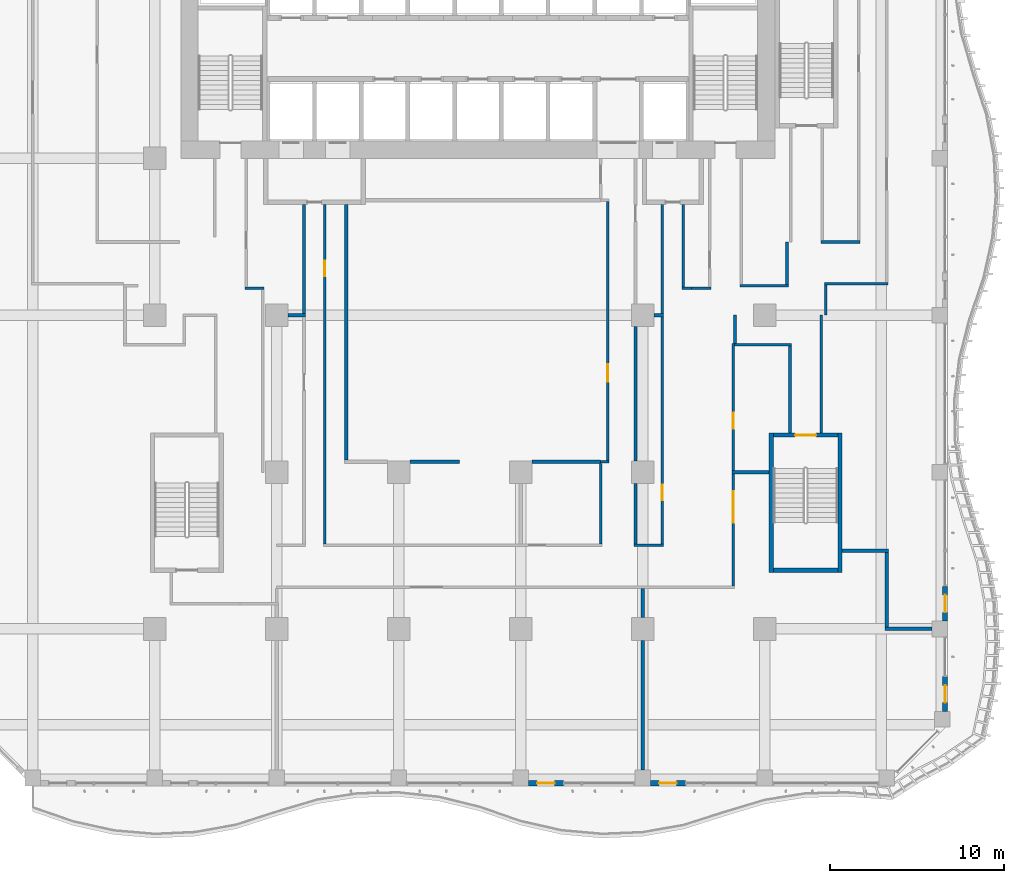
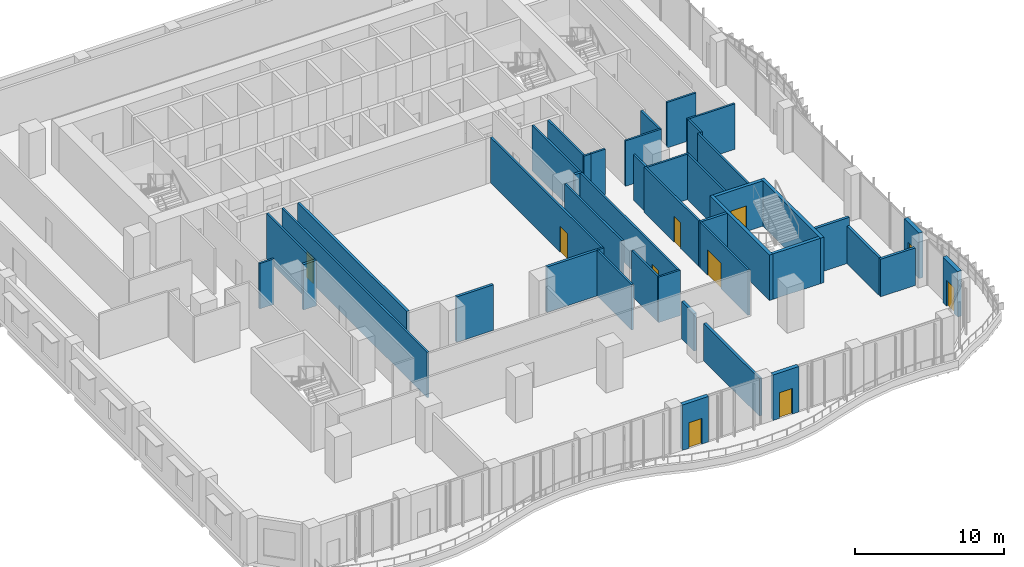
# One storey, part 11 of 27: 44 walls, 10 doors, 10 openings.
"""IFC4 building model written with IfcOpenShell, lengths in metres."""

from ifc_helpers import new_model, si_unit, direction, frame, frame_2d, origin, place, context, subcontext, project, spatial, rectangle, extrude, source, transform, mapped, material, layer, layer_set, type_object, element, fill, save


model = new_model("IFC4")

# Units and contexts
model_context = context("Model", 3, precision=1e-05, world=origin(), true_north=direction((0.0, 1.0)))
body_context = subcontext(model_context, "Body", "Model", "MODEL_VIEW")
ifc_project = project(units=[si_unit("LENGTHUNIT", "METRE"), si_unit("AREAUNIT", "SQUARE_METRE"), si_unit("VOLUMEUNIT", "CUBIC_METRE"), si_unit("PLANEANGLEUNIT", "RADIAN"), si_unit("MASSUNIT", "GRAM", prefix="KILO")], contexts=[model_context])

# Site, building, storey
site_placement = place(None, origin())
site = spatial("IfcSite", under=ifc_project, at=site_placement, CompositionType="ELEMENT")
building_placement = place(site_placement, origin())
building = spatial("IfcBuilding", under=site, at=building_placement, Name="Kilnfold Tower and Market Hall", CompositionType="ELEMENT")
storey_placement = place(building_placement, frame((0.0, 0.0, 47.0)))
storey = spatial("IfcBuildingStorey", under=building, at=storey_placement, Name="L10", CompositionType="ELEMENT", Elevation=47.0)

# Walls
ifc_material_1 = material(Name="Gypsum board on steel studs", Category="steel")
ifc_layer_1 = layer(ifc_material_1, 0.14990234375)
ifc_layer_set_1 = layer_set([ifc_layer_1], Name="Gypsum board on steel studs")
wall_type_1 = type_object("IfcWallType", Name="WALL CORRIDOR 150", PredefinedType="PARTITIONING", material=ifc_layer_set_1)
wall_1_placement = place(storey_placement, frame((-12.324951171875, 0.550048828125, 0.0), z_axis=(0.0, 0.0, 1.0), x_axis=(1.0, 0.0, 0.0)))
element("IfcWall", 1, at=wall_1_placement, inside=storey, type_object=wall_type_1, Name="Partition LY09.5", PredefinedType="PARTITIONING", context=body_context, shape_type="SweptSolid", body=[
    extrude(rectangle(XDim=1.099853515625, YDim=0.14990234375, at=frame_2d((0.5498046875, 0.0))), origin(), (0.0, 0.0, 1.0), 3.719970703125),
])
wall_2_placement = place(storey_placement, frame((-8.929931640625, -0.909912109375, 0.0), z_axis=(0.0, 0.0, 1.0), x_axis=(0.0, 1.0, 0.0)))
element("IfcWall", 2, at=wall_2_placement, inside=storey, type_object=wall_type_1, Name="Partition LY09.6", PredefinedType="PARTITIONING", context=body_context, shape_type="SweptSolid", body=[
    extrude(rectangle(XDim=6.260009765625, YDim=0.14990234375, at=frame_2d((3.1298828125, 0.0))), origin(), (0.0, 0.0, 1.0), 3.719970703125),
])

# Wall, opening, door
wall_3_placement = place(storey_placement, frame((-7.72998046875, -14.125, 0.0), z_axis=(0.0, 0.0, 1.0), x_axis=(0.0, 1.0, 0.0)))
wall_3 = element("IfcWall", 3, at=wall_3_placement, inside=storey, type_object=wall_type_1, Name="Partition LY09.7", PredefinedType="PARTITIONING", context=body_context, shape_type="SweptSolid", body=[
    extrude(rectangle(XDim=19.47509765625, YDim=0.14990234375, at=frame_2d((9.737548828125, 0.0))), origin(), (0.0, 0.0, 1.0), 3.719970703125),
])
opening_1_placement = place(wall_3_placement, frame((15.363037109375, 0.0, 0.0)))
opening_1 = element("IfcOpeningElement", 4, at=opening_1_placement, cuts=wall_3, Name="Opening D2", PredefinedType="OPENING", context=body_context, shape_type="SweptSolid", body=[
    extrude(rectangle(XDim=0.89990234375, YDim=2.10009765625, at=frame_2d((0.449951171875, 1.050048828125))), frame((0.0, 0.0849609375, 0.0), z_axis=(0.0, -1.0, 0.0), x_axis=(1.0, 0.0, 0.0)), (0.0, 0.0, 1.0), 0.169921875),
])
ifc_material_2 = material(Name="Timber veneer door leaf in steel frame", Category="steel")
door_type_1 = type_object("IfcDoorType", Name="DOOR ROOM 900 X2100", OperationType="NOTDEFINED", PredefinedType="DOOR", material=ifc_material_2)
door_1_placement = place(opening_1_placement, origin())
door_1 = element("IfcDoor", 5, at=door_1_placement, inside=storey, type_object=door_type_1, Name="Door D2", OperationType="SINGLE_SWING_RIGHT", OverallHeight=2.10009765625, OverallWidth=0.89990234375, PredefinedType="DOOR", context=body_context, shape_type="SweptSolid", body=[
    extrude(rectangle(XDim=0.89990234375, YDim=2.10009765625, at=frame_2d((0.449951171875, 1.050048828125))), frame((0.0, 0.02490234375, 0.0), z_axis=(0.0, -1.0, 0.0), x_axis=(1.0, 0.0, 0.0)), (0.0, 0.0, 1.0), 0.050048828125),
])
fill(opening_1, door_1)

# Walls
wall_4_placement = place(storey_placement, frame((8.090087890625, -14.125, 0.0), z_axis=(0.0, 0.0, 1.0), x_axis=(0.0, 1.0, 0.0)))
element("IfcWall", 6, at=wall_4_placement, inside=storey, type_object=wall_type_1, Name="Partition LY09.12", PredefinedType="PARTITIONING", context=body_context, shape_type="SweptSolid", body=[
    extrude(rectangle(XDim=4.625, YDim=0.14990234375, at=frame_2d((2.3125, 0.0))), origin(), (0.0, 0.0, 1.0), 3.719970703125),
])
wall_5_placement = place(storey_placement, frame((10.090087890625, -9.35009765625, 0.0), z_axis=(0.0, 0.0, 1.0), x_axis=(0.0, 1.0, 0.0)))
element("IfcWall", 7, at=wall_5_placement, inside=storey, type_object=wall_type_1, Name="Partition LY09.13", PredefinedType="PARTITIONING", context=body_context, shape_type="SweptSolid", body=[
    extrude(rectangle(XDim=7.7001953125, YDim=0.14990234375, at=frame_2d((3.85009765625, 0.0))), origin(), (0.0, 0.0, 1.0), 3.719970703125),
])
wall_6_placement = place(storey_placement, frame((10.090087890625, -14.125, 0.0), z_axis=(0.0, 0.0, 1.0), x_axis=(0.0, 1.0, 0.0)))
element("IfcWall", 8, at=wall_6_placement, inside=storey, type_object=wall_type_1, Name="Partition LY09.14", PredefinedType="PARTITIONING", context=body_context, shape_type="SweptSolid", body=[
    extrude(rectangle(XDim=3.47509765625, YDim=0.14990234375, at=frame_2d((1.737548828125, 0.0))), origin(), (0.0, 0.0, 1.0), 3.719970703125),
])
wall_7_placement = place(storey_placement, frame((10.014892578125, -14.199951171875, 0.0), z_axis=(0.0, 0.0, 1.0), x_axis=(1.0, 0.0, 0.0)))
element("IfcWall", 9, at=wall_7_placement, inside=storey, type_object=wall_type_1, Name="Partition LY09.15", PredefinedType="PARTITIONING", context=body_context, shape_type="SweptSolid", body=[
    extrude(rectangle(XDim=1.690185546875, YDim=0.14990234375, at=frame_2d((0.84521484375, 0.0))), origin(), (0.0, 0.0, 1.0), 3.719970703125),
])

# Wall, opening, door
wall_8_placement = place(storey_placement, frame((11.6298828125, -14.125, 0.0), z_axis=(0.0, 0.0, 1.0), x_axis=(0.0, 1.0, 0.0)))
wall_8 = element("IfcWall", 10, at=wall_8_placement, inside=storey, type_object=wall_type_1, Name="Partition LY09.16", PredefinedType="PARTITIONING", context=body_context, shape_type="SweptSolid", body=[
    extrude(rectangle(XDim=13.034912109375, YDim=0.14990234375, at=frame_2d((6.517578125, 0.0))), origin(), (0.0, 0.0, 1.0), 3.719970703125),
])
opening_2_placement = place(wall_8_placement, frame((2.507080078125, 0.0, 0.0)))
opening_2 = element("IfcOpeningElement", 11, at=opening_2_placement, cuts=wall_8, Name="Opening D2", PredefinedType="OPENING", context=body_context, shape_type="SweptSolid", body=[
    extrude(rectangle(XDim=0.89990234375, YDim=2.10009765625, at=frame_2d((0.449951171875, 1.050048828125))), frame((0.0, 0.0849609375, 0.0), z_axis=(0.0, -1.0, 0.0), x_axis=(1.0, 0.0, 0.0)), (0.0, 0.0, 1.0), 0.169921875),
])
door_2_placement = place(opening_2_placement, origin())
door_2 = element("IfcDoor", 12, at=door_2_placement, inside=storey, type_object=door_type_1, Name="Door D2", OperationType="SINGLE_SWING_LEFT", OverallHeight=2.10009765625, OverallWidth=0.89990234375, PredefinedType="DOOR", context=body_context, shape_type="SweptSolid", body=[
    extrude(rectangle(XDim=0.89990234375, YDim=2.10009765625, at=frame_2d((0.449951171875, 1.050048828125))), frame((0.0, 0.02490234375, 0.0), z_axis=(0.0, -1.0, 0.0), x_axis=(1.0, 0.0, 0.0)), (0.0, 0.0, 1.0), 0.050048828125),
])
fill(opening_2, door_2)

# Walls
wall_9_placement = place(storey_placement, frame((11.6298828125, -0.909912109375, 0.0), z_axis=(0.0, 0.0, 1.0), x_axis=(0.0, 1.0, 0.0)))
element("IfcWall", 13, at=wall_9_placement, inside=storey, type_object=wall_type_1, Name="Partition LY09.18", PredefinedType="PARTITIONING", context=body_context, shape_type="SweptSolid", body=[
    extrude(rectangle(XDim=6.260009765625, YDim=0.14990234375, at=frame_2d((3.1298828125, 0.0))), origin(), (0.0, 0.0, 1.0), 3.719970703125),
])
wall_10_placement = place(storey_placement, frame((12.830078125, 0.616943359375, 0.0), z_axis=(0.0, 0.0, 1.0), x_axis=(0.0, 1.0, 0.0)))
element("IfcWall", 14, at=wall_10_placement, inside=storey, type_object=wall_type_1, Name="Partition LY09.19", PredefinedType="PARTITIONING", context=body_context, shape_type="SweptSolid", body=[
    extrude(rectangle(XDim=4.733154296875, YDim=0.14990234375, at=frame_2d((2.36669921875, 0.0))), origin(), (0.0, 0.0, 1.0), 3.719970703125),
])
wall_11_placement = place(storey_placement, frame((13.300048828125, 0.5419921875, 0.0), z_axis=(0.0, 0.0, 1.0), x_axis=(-1.0, 0.0, 0.0)))
element("IfcWall", 15, at=wall_11_placement, inside=storey, type_object=wall_type_1, Name="Partition LY09.20", PredefinedType="PARTITIONING", context=body_context, shape_type="SweptSolid", body=[
    extrude(rectangle(XDim=0.545166015625, YDim=0.14990234375, at=frame_2d((0.2724609375, 0.0))), origin(), (0.0, 0.0, 1.0), 3.719970703125),
])
wall_12_placement = place(storey_placement, frame((13.300048828125, 0.550048828125, 0.0), z_axis=(0.0, 0.0, 1.0), x_axis=(1.0, 0.0, 0.0)))
element("IfcWall", 16, at=wall_12_placement, inside=storey, type_object=wall_type_1, Name="Partition LY09.21", PredefinedType="PARTITIONING", context=body_context, shape_type="SweptSolid", body=[
    extrude(rectangle(XDim=1.125, YDim=0.14990234375, at=frame_2d((0.5625, 0.0))), origin(), (0.0, 0.0, 1.0), 3.719970703125),
])
wall_13_placement = place(storey_placement, frame((16.074951171875, 0.699951171875, 0.0), z_axis=(0.0, 0.0, 1.0), x_axis=(1.0, 0.0, 0.0)))
element("IfcWall", 17, at=wall_13_placement, inside=storey, type_object=wall_type_1, Name="Partition LY09.24", PredefinedType="PARTITIONING", context=body_context, shape_type="SweptSolid", body=[
    extrude(rectangle(XDim=2.780029296875, YDim=0.14990234375, at=frame_2d((1.39013671875, 0.0))), origin(), (0.0, 0.0, 1.0), 3.719970703125),
])
wall_14_placement = place(storey_placement, frame((18.780029296875, 3.199951171875, 0.0), z_axis=(0.0, 0.0, 1.0), x_axis=(0.0, -1.0, 0.0)))
element("IfcWall", 18, at=wall_14_placement, inside=storey, type_object=wall_type_1, Name="Partition LY09.25", PredefinedType="PARTITIONING", context=body_context, shape_type="SweptSolid", body=[
    extrude(rectangle(XDim=2.425048828125, YDim=0.14990234375, at=frame_2d((1.21240234375, 0.0))), origin(), (0.0, 0.0, 1.0), 3.719970703125),
])
wall_15_placement = place(storey_placement, frame((20.72509765625, 3.199951171875, 0.0), z_axis=(0.0, 0.0, 1.0), x_axis=(1.0, 0.0, 0.0)))
element("IfcWall", 19, at=wall_15_placement, inside=storey, type_object=wall_type_1, Name="Partition LY09.28", PredefinedType="PARTITIONING", context=body_context, shape_type="SweptSolid", body=[
    extrude(rectangle(XDim=2.25, YDim=0.14990234375, at=frame_2d((1.125, 0.0))), origin(), (0.0, 0.0, 1.0), 3.719970703125),
])

# Wall, opening, door
wall_16_placement = place(storey_placement, frame((15.699951171875, -16.52490234375, 0.0), z_axis=(0.0, 0.0, 1.0), x_axis=(0.0, 1.0, 0.0)))
wall_16 = element("IfcWall", 20, at=wall_16_placement, inside=storey, type_object=wall_type_1, Name="Partition LY09.43", PredefinedType="PARTITIONING", context=body_context, shape_type="SweptSolid", body=[
    extrude(rectangle(XDim=6.434814453125, YDim=0.14990234375, at=frame_2d((3.21728515625, 0.0))), origin(), (0.0, 0.0, 1.0), 3.719970703125),
])
opening_3_placement = place(wall_16_placement, frame((3.6279296875, 0.0, 0.0)))
opening_3 = element("IfcOpeningElement", 21, at=opening_3_placement, cuts=wall_16, Name="Opening D5", PredefinedType="OPENING", context=body_context, shape_type="SweptSolid", body=[
    extrude(rectangle(XDim=1.800048828125, YDim=2.10009765625, at=frame_2d((0.89990234375, 1.050048828125))), frame((0.0, 0.0849609375, 0.0), z_axis=(0.0, -1.0, 0.0), x_axis=(1.0, 0.0, 0.0)), (0.0, 0.0, 1.0), 0.169921875),
])
ifc_material_3 = material(Name="Timber veneer door leaf in steel frame", Category="steel")
door_type_2 = type_object("IfcDoorType", Name="DOOR DOUBLE 1800 X2100", OperationType="NOTDEFINED", PredefinedType="DOOR", material=ifc_material_3)
door_3_placement = place(opening_3_placement, origin())
door_3 = element("IfcDoor", 22, at=door_3_placement, inside=storey, type_object=door_type_2, Name="Door D5", OperationType="DOUBLE_DOOR_SINGLE_SWING", OverallHeight=2.10009765625, OverallWidth=1.800048828125, PredefinedType="DOOR", context=body_context, shape_type="SweptSolid", body=[
    extrude(rectangle(XDim=1.800048828125, YDim=2.10009765625, at=frame_2d((0.89990234375, 1.050048828125))), frame((0.0, 0.02490234375, 0.0), z_axis=(0.0, -1.0, 0.0), x_axis=(1.0, 0.0, 0.0)), (0.0, 0.0, 1.0), 0.050048828125),
])
fill(opening_3, door_3)

# Walls
wall_17_placement = place(storey_placement, frame((18.949951171875, -2.77490234375, 0.0), z_axis=(0.0, 0.0, 1.0), x_axis=(0.0, -1.0, 0.0)))
element("IfcWall", 23, at=wall_17_placement, inside=storey, type_object=wall_type_1, Name="Partition LY09.44", PredefinedType="PARTITIONING", context=body_context, shape_type="SweptSolid", body=[
    extrude(rectangle(XDim=4.97509765625, YDim=0.14990234375, at=frame_2d((2.487548828125, 0.0))), origin(), (0.0, 0.0, 1.0), 3.719970703125),
])
wall_18_placement = place(storey_placement, frame((15.77490234375, -2.699951171875, 0.0), z_axis=(0.0, 0.0, 1.0), x_axis=(1.0, 0.0, 0.0)))
element("IfcWall", 24, at=wall_18_placement, inside=storey, type_object=wall_type_1, Name="Partition LY09.45", PredefinedType="PARTITIONING", context=body_context, shape_type="SweptSolid", body=[
    extrude(rectangle(XDim=3.25, YDim=0.14990234375, at=frame_2d((1.625, 0.0))), origin(), (0.0, 0.0, 1.0), 3.719970703125),
])
wall_19_placement = place(storey_placement, frame((15.800048828125, -2.625, 0.0), z_axis=(0.0, 0.0, 1.0), x_axis=(0.0, 1.0, 0.0)))
element("IfcWall", 25, at=wall_19_placement, inside=storey, type_object=wall_type_1, Name="Partition LY09.46", PredefinedType="PARTITIONING", context=body_context, shape_type="SweptSolid", body=[
    extrude(rectangle(XDim=1.625, YDim=0.14990234375, at=frame_2d((0.8125, 0.0))), origin(), (0.0, 0.0, 1.0), 3.719970703125),
])

# Wall, opening, door
wall_20_placement = place(storey_placement, frame((15.699951171875, -9.909912109375, 0.0), z_axis=(0.0, 0.0, 1.0), x_axis=(0.0, 1.0, 0.0)))
wall_20 = element("IfcWall", 26, at=wall_20_placement, inside=storey, type_object=wall_type_1, Name="Partition LY09.47", PredefinedType="PARTITIONING", context=body_context, shape_type="SweptSolid", body=[
    extrude(rectangle(XDim=7.284912109375, YDim=0.14990234375, at=frame_2d((3.642578125, 0.0))), origin(), (0.0, 0.0, 1.0), 3.719970703125),
])
opening_4_placement = place(wall_20_placement, frame((2.403076171875, 0.0, 0.0)))
opening_4 = element("IfcOpeningElement", 27, at=opening_4_placement, cuts=wall_20, Name="Opening D2", PredefinedType="OPENING", context=body_context, shape_type="SweptSolid", body=[
    extrude(rectangle(XDim=0.89990234375, YDim=2.10009765625, at=frame_2d((0.449951171875, 1.050048828125))), frame((0.0, 0.0849609375, 0.0), z_axis=(0.0, -1.0, 0.0), x_axis=(1.0, 0.0, 0.0)), (0.0, 0.0, 1.0), 0.169921875),
])
door_4_placement = place(opening_4_placement, origin())
door_4 = element("IfcDoor", 28, at=door_4_placement, inside=storey, type_object=door_type_1, Name="Door D2", OperationType="SINGLE_SWING_LEFT", OverallHeight=2.10009765625, OverallWidth=0.89990234375, PredefinedType="DOOR", context=body_context, shape_type="SweptSolid", body=[
    extrude(rectangle(XDim=0.89990234375, YDim=2.10009765625, at=frame_2d((0.449951171875, 1.050048828125))), frame((0.0, 0.02490234375, 0.0), z_axis=(0.0, -1.0, 0.0), x_axis=(1.0, 0.0, 0.0)), (0.0, 0.0, 1.0), 0.050048828125),
])
fill(opening_4, door_4)

# Walls
wall_21_placement = place(storey_placement, frame((20.925048828125, 0.800048828125, 0.0), z_axis=(0.0, 0.0, 1.0), x_axis=(1.0, 0.0, 0.0)))
element("IfcWall", 29, at=wall_21_placement, inside=storey, type_object=wall_type_1, Name="Partition LY09.49", PredefinedType="PARTITIONING", context=body_context, shape_type="SweptSolid", body=[
    extrude(rectangle(XDim=3.64990234375, YDim=0.14990234375, at=frame_2d((1.824951171875, 0.0))), origin(), (0.0, 0.0, 1.0), 3.719970703125),
])
wall_22_placement = place(storey_placement, frame((21.0, -1.0, 0.0), z_axis=(0.0, 0.0, 1.0), x_axis=(0.0, 1.0, 0.0)))
element("IfcWall", 30, at=wall_22_placement, inside=storey, type_object=wall_type_1, Name="Partition LY09.50", PredefinedType="PARTITIONING", context=body_context, shape_type="SweptSolid", body=[
    extrude(rectangle(XDim=1.72509765625, YDim=0.14990234375, at=frame_2d((0.862548828125, 0.0))), origin(), (0.0, 0.0, 1.0), 3.719970703125),
])
wall_23_placement = place(storey_placement, frame((20.75, -7.75, 0.0), z_axis=(0.0, 0.0, 1.0), x_axis=(0.0, 1.0, 0.0)))
element("IfcWall", 31, at=wall_23_placement, inside=storey, type_object=wall_type_1, Name="Partition LY09.51", PredefinedType="PARTITIONING", context=body_context, shape_type="SweptSolid", body=[
    extrude(rectangle(XDim=6.75, YDim=0.14990234375, at=frame_2d((3.375, 0.0))), origin(), (0.0, 0.0, 1.0), 3.719970703125),
])
wall_24_placement = place(storey_placement, frame((8.574951171875, -9.39990234375, 0.0), z_axis=(0.0, 0.0, 1.0), x_axis=(-1.0, 0.0, 0.0)))
element("IfcWall", 32, at=wall_24_placement, inside=storey, type_object=wall_type_1, Name="Partition LY09.55", PredefinedType="PARTITIONING", context=body_context, shape_type="SweptSolid", body=[
    extrude(rectangle(XDim=0.48486328125, YDim=0.14990234375, at=frame_2d((0.242431640625, 0.0))), origin(), (0.0, 0.0, 1.0), 3.719970703125),
])

# Wall, opening, door
wall_25_placement = place(storey_placement, frame((8.5, 5.52490234375, 0.0), z_axis=(0.0, 0.0, 1.0), x_axis=(0.0, -1.0, 0.0)))
wall_25 = element("IfcWall", 33, at=wall_25_placement, inside=storey, type_object=wall_type_1, Name="Partition LY09.56", PredefinedType="PARTITIONING", context=body_context, shape_type="SweptSolid", body=[
    extrude(rectangle(XDim=14.849853515625, YDim=0.14990234375, at=frame_2d((7.4248046875, 0.0))), origin(), (0.0, 0.0, 1.0), 3.719970703125),
])
opening_5_placement = place(wall_25_placement, frame((9.333984375, 0.0, 0.0)))
opening_5 = element("IfcOpeningElement", 34, at=opening_5_placement, cuts=wall_25, Name="Opening D1", PredefinedType="OPENING", context=body_context, shape_type="SweptSolid", body=[
    extrude(rectangle(XDim=1.0, YDim=2.10009765625, at=frame_2d((0.5, 1.050048828125))), frame((0.0, 0.0849609375, 0.0), z_axis=(0.0, -1.0, 0.0), x_axis=(1.0, 0.0, 0.0)), (0.0, 0.0, 1.0), 0.169921875),
])
ifc_material_4 = material(Name="Timber veneer door leaf in steel frame", Category="steel")
door_type_3 = type_object("IfcDoorType", Name="DOOR ENTRY 1000 X2100", OperationType="NOTDEFINED", PredefinedType="DOOR", material=ifc_material_4)
door_5_placement = place(opening_5_placement, origin())
door_5 = element("IfcDoor", 35, at=door_5_placement, inside=storey, type_object=door_type_3, Name="Door D1", OperationType="SINGLE_SWING_LEFT", OverallHeight=2.10009765625, OverallWidth=1.0, PredefinedType="DOOR", context=body_context, shape_type="SweptSolid", body=[
    extrude(rectangle(XDim=1.0, YDim=2.10009765625, at=frame_2d((0.5, 1.050048828125))), frame((0.0, 0.02490234375, 0.0), z_axis=(0.0, -1.0, 0.0), x_axis=(1.0, 0.0, 0.0)), (0.0, 0.0, 1.0), 0.050048828125),
])
fill(opening_5, door_5)

# Walls
ifc_material_5 = material(Name="Gypsum board on steel studs", Category="steel")
ifc_layer_2 = layer(ifc_material_5, 0.199951171875)
ifc_layer_set_2 = layer_set([ifc_layer_2], Name="Gypsum board on steel studs")
wall_type_2 = type_object("IfcWallType", Name="WALL PARTY 200", PredefinedType="PARTITIONING", material=ifc_layer_set_2)
wall_26_placement = place(storey_placement, frame((-9.85009765625, -1.0, 0.0), z_axis=(0.0, 0.0, 1.0), x_axis=(1.0, 0.0, 0.0)))
element("IfcWall", 36, at=wall_26_placement, inside=storey, type_object=wall_type_2, Name="Partition LY09.60", PredefinedType="PARTITIONING", context=body_context, shape_type="SweptSolid", body=[
    extrude(rectangle(XDim=0.994140625, YDim=0.199951171875, at=frame_2d((0.4970703125, 0.0))), origin(), (0.0, 0.0, 1.0), 3.719970703125),
])
wall_27_placement = place(storey_placement, frame((-6.5, -9.300048828125, 0.0), z_axis=(0.0, 0.0, 1.0), x_axis=(0.0, 1.0, 0.0)))
element("IfcWall", 37, at=wall_27_placement, inside=storey, type_object=wall_type_2, Name="Partition LY09.62", PredefinedType="PARTITIONING", context=body_context, shape_type="SweptSolid", body=[
    extrude(rectangle(XDim=14.650146484375, YDim=0.199951171875, at=frame_2d((7.3251953125, 0.0))), origin(), (0.0, 0.0, 1.0), 3.719970703125),
])
wall_28_placement = place(storey_placement, frame((-2.85009765625, -9.39990234375, 0.0), z_axis=(0.0, 0.0, 1.0), x_axis=(1.0, 0.0, 0.0)))
element("IfcWall", 38, at=wall_28_placement, inside=storey, type_object=wall_type_2, Name="Partition LY09.64", PredefinedType="PARTITIONING", context=body_context, shape_type="SweptSolid", body=[
    extrude(rectangle(XDim=2.85009765625, YDim=0.199951171875, at=frame_2d((1.425048828125, 0.0))), origin(), (0.0, 0.0, 1.0), 3.719970703125),
])
wall_29_placement = place(storey_placement, frame((4.14990234375, -9.39990234375, 0.0), z_axis=(0.0, 0.0, 1.0), x_axis=(1.0, 0.0, 0.0)))
element("IfcWall", 39, at=wall_29_placement, inside=storey, type_object=wall_type_2, Name="Partition LY09.65", PredefinedType="PARTITIONING", context=body_context, shape_type="SweptSolid", body=[
    extrude(rectangle(XDim=3.939208984375, YDim=0.199951171875, at=frame_2d((1.9697265625, 0.0))), origin(), (0.0, 0.0, 1.0), 3.719970703125),
])
wall_30_placement = place(storey_placement, frame((11.14990234375, -1.0, 0.0), z_axis=(0.0, 0.0, 1.0), x_axis=(1.0, 0.0, 0.0)))
element("IfcWall", 40, at=wall_30_placement, inside=storey, type_object=wall_type_2, Name="Partition LY09.66", PredefinedType="PARTITIONING", context=body_context, shape_type="SweptSolid", body=[
    extrude(rectangle(XDim=0.55419921875, YDim=0.199951171875, at=frame_2d((0.277099609375, 0.0))), origin(), (0.0, 0.0, 1.0), 3.719970703125),
])
wall_31_placement = place(storey_placement, frame((10.5, -18.35009765625, 0.0), z_axis=(0.0, 0.0, 1.0), x_axis=(0.0, 1.0, 0.0)))
element("IfcWall", 41, at=wall_31_placement, inside=storey, type_object=wall_type_2, Name="Partition LY09.69", PredefinedType="PARTITIONING", context=body_context, shape_type="SweptSolid", body=[
    extrude(rectangle(XDim=1.674072265625, YDim=0.199951171875, at=frame_2d((0.8369140625, 0.0))), origin(), (0.0, 0.0, 1.0), 3.070068359375),
])
wall_32_placement = place(storey_placement, frame((10.5, -27.10009765625, 0.0), z_axis=(0.0, 0.0, 1.0), x_axis=(0.0, 1.0, 0.0)))
element("IfcWall", 42, at=wall_32_placement, inside=storey, type_object=wall_type_2, Name="Partition LY09.70", PredefinedType="PARTITIONING", context=body_context, shape_type="SweptSolid", body=[
    extrude(rectangle(XDim=7.4501953125, YDim=0.199951171875, at=frame_2d((3.72509765625, 0.0))), origin(), (0.0, 0.0, 1.0), 3.070068359375),
])
wall_33_placement = place(storey_placement, frame((17.75, -10.0, 0.0), z_axis=(0.0, 0.0, 1.0), x_axis=(-1.0, 0.0, 0.0)))
element("IfcWall", 43, at=wall_33_placement, inside=storey, type_object=wall_type_2, Name="Partition LY09.71", PredefinedType="PARTITIONING", context=body_context, shape_type="SweptSolid", body=[
    extrude(rectangle(XDim=2.1240234375, YDim=0.199951171875, at=frame_2d((1.06201171875, 0.0))), origin(), (0.0, 0.0, 1.0), 3.719970703125),
])
wall_34_placement = place(storey_placement, frame((24.60009765625, -14.5, 0.0), z_axis=(0.0, 0.0, 1.0), x_axis=(-1.0, 0.0, 0.0)))
element("IfcWall", 44, at=wall_34_placement, inside=storey, type_object=wall_type_2, Name="Partition LY09.72", PredefinedType="PARTITIONING", context=body_context, shape_type="SweptSolid", body=[
    extrude(rectangle(XDim=2.650146484375, YDim=0.199951171875, at=frame_2d((1.3251953125, 0.0))), origin(), (0.0, 0.0, 1.0), 3.719970703125),
])
wall_35_placement = place(storey_placement, frame((24.5, -18.89990234375, 0.0), z_axis=(0.0, 0.0, 1.0), x_axis=(0.0, 1.0, 0.0)))
element("IfcWall", 45, at=wall_35_placement, inside=storey, type_object=wall_type_2, Name="Partition LY09.73", PredefinedType="PARTITIONING", context=body_context, shape_type="SweptSolid", body=[
    extrude(rectangle(XDim=4.2998046875, YDim=0.199951171875, at=frame_2d((2.14990234375, 0.0))), origin(), (0.0, 0.0, 1.0), 3.070068359375),
])
wall_36_placement = place(storey_placement, frame((27.10009765625, -19.0, 0.0), z_axis=(0.0, 0.0, 1.0), x_axis=(-1.0, 0.0, 0.0)))
element("IfcWall", 46, at=wall_36_placement, inside=storey, type_object=wall_type_2, Name="Partition LY09.74", PredefinedType="PARTITIONING", context=body_context, shape_type="SweptSolid", body=[
    extrude(rectangle(XDim=2.7001953125, YDim=0.199951171875, at=frame_2d((1.35009765625, 0.0))), origin(), (0.0, 0.0, 1.0), 3.070068359375),
])
ifc_material_6 = material(Name="Concrete C80", Category="concrete")
ifc_layer_3 = layer(ifc_material_6, 0.25)
ifc_layer_set_3 = layer_set([ifc_layer_3], Name="Concrete C80")
wall_type_3 = type_object("IfcWallType", Name="CORE WALL 250 C80", PredefinedType="SHEAR", material=ifc_layer_set_3)
shared_shape_1 = source(origin(), body_context, "Body", "SweptSolid", [
    extrude(rectangle(XDim=3.699951171875, YDim=0.25, at=frame_2d((1.85009765625, 0.0))), origin(), (0.0, 0.0, 1.0), 3.719970703125),
])
wall_37_placement = place(storey_placement, frame((18.0, -15.625, 0.0), z_axis=(0.0, 0.0, 1.0), x_axis=(1.0, 0.0, 0.0)))
element("IfcWall", 47, at=wall_37_placement, inside=storey, type_object=wall_type_3, Name="Stair enclosure ST4", PredefinedType="SHEAR", context=body_context, shape_type="MappedRepresentation", body=[
    mapped(shared_shape_1, transform((0.0, 0.0, 0.0))),
])

# Wall, opening, door
wall_38_placement = place(storey_placement, frame((18.0, -7.875, 0.0), z_axis=(0.0, 0.0, 1.0), x_axis=(1.0, 0.0, 0.0)))
wall_38 = element("IfcWall", 48, at=wall_38_placement, inside=storey, type_object=wall_type_3, Name="Stair enclosure ST4", PredefinedType="SHEAR", context=body_context, shape_type="MappedRepresentation", body=[
    mapped(shared_shape_1, transform((0.0, 0.0, 0.0))),
])
opening_6_placement = place(wall_38_placement, frame((1.25, 0.0, 0.0)))
opening_6 = element("IfcOpeningElement", 49, at=opening_6_placement, cuts=wall_38, Name="Opening SD1", PredefinedType="OPENING", context=body_context, shape_type="SweptSolid", body=[
    extrude(rectangle(XDim=1.199951171875, YDim=2.10009765625, at=frame_2d((0.60009765625, 1.050048828125))), frame((0.0, 0.135009765625, 0.0), z_axis=(0.0, -1.0, 0.0), x_axis=(1.0, 0.0, 0.0)), (0.0, 0.0, 1.0), 0.27001953125),
])
ifc_material_7 = material(Name="Steel door set with fire-resisting leaf", Category="steel")
door_type_4 = type_object("IfcDoorType", Name="STAIR FLOOR DOOR 1200X2100", OperationType="NOTDEFINED", PredefinedType="DOOR", material=ifc_material_7)
door_6_placement = place(opening_6_placement, origin())
door_6 = element("IfcDoor", 50, at=door_6_placement, inside=storey, type_object=door_type_4, Name="Exit stair ST4 door", OperationType="DOUBLE_DOOR_SINGLE_SWING", OverallHeight=2.10009765625, OverallWidth=1.199951171875, PredefinedType="DOOR", context=body_context, shape_type="SweptSolid", body=[
    extrude(rectangle(XDim=1.199951171875, YDim=2.10009765625, at=frame_2d((0.60009765625, 1.050048828125))), frame((0.0, 0.02490234375, 0.0), z_axis=(0.0, -1.0, 0.0), x_axis=(1.0, 0.0, 0.0)), (0.0, 0.0, 1.0), 0.050048828125),
])
fill(opening_6, door_6)

# Walls
shared_shape_2 = source(origin(), body_context, "Body", "SweptSolid", [
    extrude(rectangle(XDim=8.0, YDim=0.25, at=frame_2d((4.0, 0.0))), origin(), (0.0, 0.0, 1.0), 3.719970703125),
])
for number, where, z_axis, x_axis, name in (
    (51, (17.875, -15.75, 0.0), (0.0, 0.0, 1.0), (0.0, 1.0, 0.0), "Stair enclosure ST4"),
    (52, (21.824951171875, -15.75, 0.0), (0.0, 0.0, 1.0), (0.0, 1.0, 0.0), "Stair enclosure ST4"),
):
    element("IfcWall", number, at=place(storey_placement, frame(where, z_axis=z_axis, x_axis=x_axis)), inside=storey, type_object=wall_type_3, Name=name, PredefinedType="SHEAR", context=body_context, shape_type="MappedRepresentation", body=[
        mapped(shared_shape_2, transform((0.0, 0.0, 0.0))),
    ])

# Wall, opening, door
ifc_material_8 = material(Name="Precast concrete C50/60", Category="concrete")
ifc_layer_4 = layer(ifc_material_8, 0.300048828125)
ifc_layer_set_4 = layer_set([ifc_layer_4], Name="Precast concrete C50/60")
wall_type_4 = type_object("IfcWallType", Name="PRECAST WALL 300", PredefinedType="SOLIDWALL", material=ifc_layer_set_4)
shared_shape_3 = source(origin(), body_context, "Body", "SweptSolid", [
    extrude(rectangle(XDim=2.0, YDim=0.300048828125, at=frame_2d((1.0, 0.0))), origin(), (0.0, 0.0, 1.0), 3.719970703125),
])
wall_39_placement = place(storey_placement, frame((3.949951171875, -27.85009765625, 0.0), z_axis=(0.0, 0.0, 1.0), x_axis=(1.0, 0.0, 0.0)))
wall_39 = element("IfcWall", 53, at=wall_39_placement, inside=storey, type_object=wall_type_4, Name="External wall L10 S", PredefinedType="SOLIDWALL", context=body_context, shape_type="MappedRepresentation", body=[
    mapped(shared_shape_3, transform((0.0, 0.0, 0.0))),
])
opening_7_placement = place(wall_39_placement, frame((0.5, 0.0, 0.0)))
opening_7 = element("IfcOpeningElement", 54, at=opening_7_placement, cuts=wall_39, Name="Opening BD1", PredefinedType="OPENING", context=body_context, shape_type="SweptSolid", body=[
    extrude(rectangle(XDim=1.0, YDim=2.10009765625, at=frame_2d((0.5, 1.050048828125))), frame((0.0, 0.16015625, 0.0), z_axis=(0.0, -1.0, 0.0), x_axis=(1.0, 0.0, 0.0)), (0.0, 0.0, 1.0), 0.320068359375),
])
ifc_material_9 = material(Name="Aluminium frame and double glazing", Category="aluminium")
door_type_5 = type_object("IfcDoorType", Name="BALCONY DOOR 1000X2100", OperationType="NOTDEFINED", PredefinedType="DOOR", material=ifc_material_9)
door_7_placement = place(opening_7_placement, origin())
door_7 = element("IfcDoor", 55, at=door_7_placement, inside=storey, type_object=door_type_5, Name="Balcony door BD1 L10 S-1", OperationType="SINGLE_SWING_LEFT", OverallHeight=2.10009765625, OverallWidth=1.0, PredefinedType="DOOR", context=body_context, shape_type="SweptSolid", body=[
    extrude(rectangle(XDim=1.0, YDim=2.10009765625, at=frame_2d((0.5, 1.050048828125))), frame((0.0, 0.02490234375, 0.0), z_axis=(0.0, -1.0, 0.0), x_axis=(1.0, 0.0, 0.0)), (0.0, 0.0, 1.0), 0.050048828125),
])
fill(opening_7, door_7)

wall_40_placement = place(storey_placement, frame((10.949951171875, -27.85009765625, 0.0), z_axis=(0.0, 0.0, 1.0), x_axis=(1.0, 0.0, 0.0)))
wall_40 = element("IfcWall", 56, at=wall_40_placement, inside=storey, type_object=wall_type_4, Name="External wall L10 S", PredefinedType="SOLIDWALL", context=body_context, shape_type="MappedRepresentation", body=[
    mapped(shared_shape_3, transform((0.0, 0.0, 0.0))),
])
opening_8_placement = place(wall_40_placement, frame((0.5, 0.0, 0.0)))
opening_8 = element("IfcOpeningElement", 57, at=opening_8_placement, cuts=wall_40, Name="Opening BD1", PredefinedType="OPENING", context=body_context, shape_type="SweptSolid", body=[
    extrude(rectangle(XDim=1.0, YDim=2.10009765625, at=frame_2d((0.5, 1.050048828125))), frame((0.0, 0.16015625, 0.0), z_axis=(0.0, -1.0, 0.0), x_axis=(1.0, 0.0, 0.0)), (0.0, 0.0, 1.0), 0.320068359375),
])
door_8_placement = place(opening_8_placement, origin())
door_8 = element("IfcDoor", 58, at=door_8_placement, inside=storey, type_object=door_type_5, Name="Balcony door BD1 L10 S-1", OperationType="SINGLE_SWING_LEFT", OverallHeight=2.10009765625, OverallWidth=1.0, PredefinedType="DOOR", context=body_context, shape_type="SweptSolid", body=[
    extrude(rectangle(XDim=1.0, YDim=2.10009765625, at=frame_2d((0.5, 1.050048828125))), frame((0.0, 0.02490234375, 0.0), z_axis=(0.0, -1.0, 0.0), x_axis=(1.0, 0.0, 0.0)), (0.0, 0.0, 1.0), 0.050048828125),
])
fill(opening_8, door_8)

wall_41_placement = place(storey_placement, frame((27.85009765625, -23.731689453125, 0.0), z_axis=(0.0, 0.0, 1.0), x_axis=(0.0, 1.0, 0.0)))
wall_41 = element("IfcWall", 59, at=wall_41_placement, inside=storey, type_object=wall_type_4, Name="External wall L10 E", PredefinedType="SOLIDWALL", context=body_context, shape_type="MappedRepresentation", body=[
    mapped(shared_shape_3, transform((0.0, 0.0, 0.0))),
])
opening_9_placement = place(wall_41_placement, frame((0.5, 0.0, 0.0)))
opening_9 = element("IfcOpeningElement", 60, at=opening_9_placement, cuts=wall_41, Name="Opening BD1", PredefinedType="OPENING", context=body_context, shape_type="SweptSolid", body=[
    extrude(rectangle(XDim=1.0, YDim=2.10009765625, at=frame_2d((0.5, 1.050048828125))), frame((0.0, 0.16015625, 0.0), z_axis=(0.0, -1.0, 0.0), x_axis=(1.0, 0.0, 0.0)), (0.0, 0.0, 1.0), 0.320068359375),
])
door_9_placement = place(opening_9_placement, origin())
door_9 = element("IfcDoor", 61, at=door_9_placement, inside=storey, type_object=door_type_5, Name="Balcony door BD1 L10 E-1", OperationType="SINGLE_SWING_LEFT", OverallHeight=2.10009765625, OverallWidth=1.0, PredefinedType="DOOR", context=body_context, shape_type="SweptSolid", body=[
    extrude(rectangle(XDim=1.0, YDim=2.10009765625, at=frame_2d((0.5, 1.050048828125))), frame((0.0, 0.02490234375, 0.0), z_axis=(0.0, -1.0, 0.0), x_axis=(1.0, 0.0, 0.0)), (0.0, 0.0, 1.0), 0.050048828125),
])
fill(opening_9, door_9)

wall_42_placement = place(storey_placement, frame((27.85009765625, -18.550048828125, 0.0), z_axis=(0.0, 0.0, 1.0), x_axis=(0.0, 1.0, 0.0)))
wall_42 = element("IfcWall", 62, at=wall_42_placement, inside=storey, type_object=wall_type_4, Name="External wall L10 E", PredefinedType="SOLIDWALL", context=body_context, shape_type="MappedRepresentation", body=[
    mapped(shared_shape_3, transform((0.0, 0.0, 0.0))),
])
opening_10_placement = place(wall_42_placement, frame((0.5, 0.0, 0.0)))
opening_10 = element("IfcOpeningElement", 63, at=opening_10_placement, cuts=wall_42, Name="Opening BD1", PredefinedType="OPENING", context=body_context, shape_type="SweptSolid", body=[
    extrude(rectangle(XDim=1.0, YDim=2.10009765625, at=frame_2d((0.5, 1.050048828125))), frame((0.0, 0.16015625, 0.0), z_axis=(0.0, -1.0, 0.0), x_axis=(1.0, 0.0, 0.0)), (0.0, 0.0, 1.0), 0.320068359375),
])
door_10_placement = place(opening_10_placement, origin())
door_10 = element("IfcDoor", 64, at=door_10_placement, inside=storey, type_object=door_type_5, Name="Balcony door BD1 L10 E-1", OperationType="SINGLE_SWING_LEFT", OverallHeight=2.10009765625, OverallWidth=1.0, PredefinedType="DOOR", context=body_context, shape_type="SweptSolid", body=[
    extrude(rectangle(XDim=1.0, YDim=2.10009765625, at=frame_2d((0.5, 1.050048828125))), frame((0.0, 0.02490234375, 0.0), z_axis=(0.0, -1.0, 0.0), x_axis=(1.0, 0.0, 0.0)), (0.0, 0.0, 1.0), 0.050048828125),
])
fill(opening_10, door_10)

save(model, "model.ifc")
